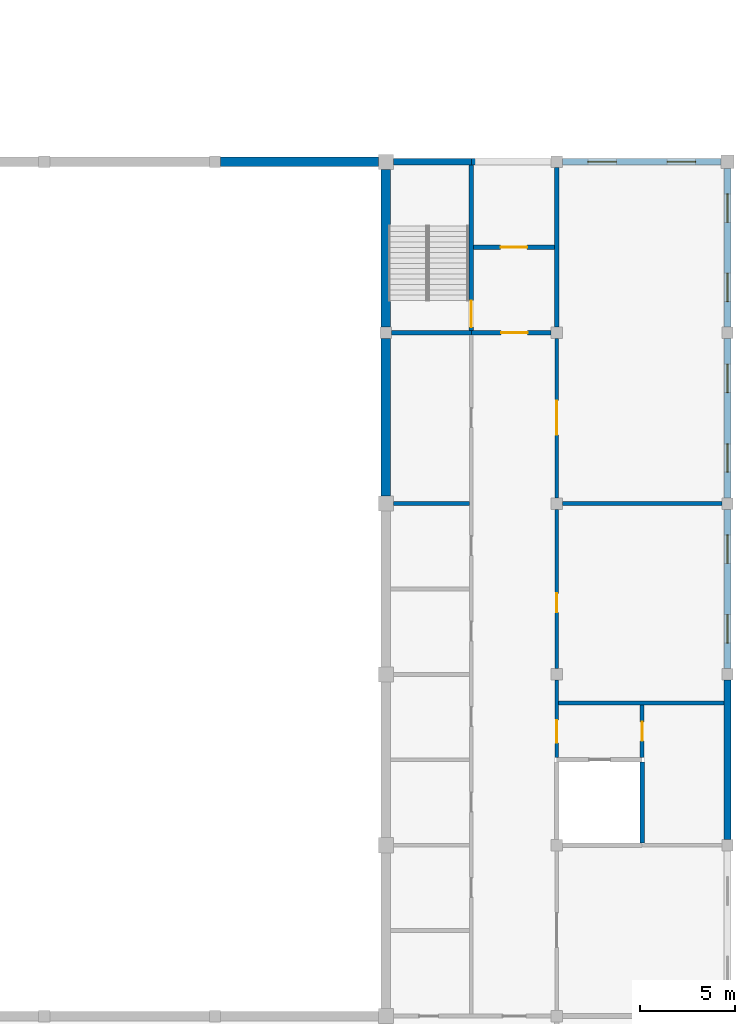
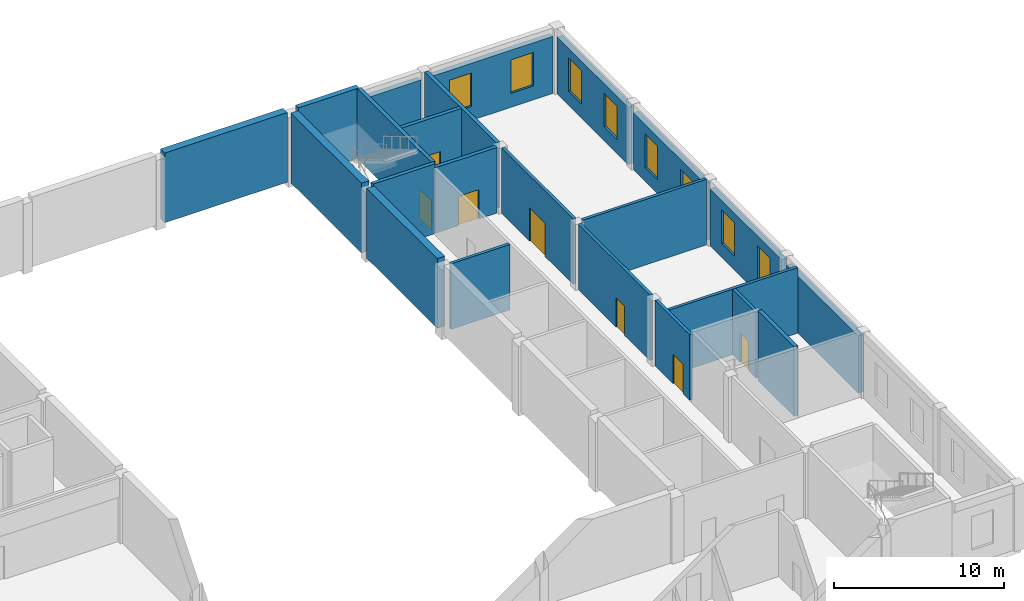
# One storey, part 23 of 30: 23 walls, 8 windows, 7 doors, 15 openings.
"""IFC4 building model written with IfcOpenShell, lengths in metres."""

from ifc_helpers import new_model, si_unit, direction, frame, frame_2d, origin, place, context, subcontext, project, spatial, rectangle, extrude, material, layer, layer_set, type_object, element, fill, save


model = new_model("IFC4")

# Units and contexts
model_context = context("Model", 3, precision=1e-05, world=origin(), true_north=direction((0.0, 1.0)))
body_context = subcontext(model_context, "Body", "Model", "MODEL_VIEW")
ifc_project = project(units=[si_unit("LENGTHUNIT", "METRE"), si_unit("AREAUNIT", "SQUARE_METRE"), si_unit("VOLUMEUNIT", "CUBIC_METRE"), si_unit("PLANEANGLEUNIT", "RADIAN"), si_unit("MASSUNIT", "GRAM", prefix="KILO")], contexts=[model_context])

# Site, building, storey
site_placement = place(None, origin())
site = spatial("IfcSite", under=ifc_project, at=site_placement, CompositionType="ELEMENT")
building_placement = place(site_placement, origin())
building = spatial("IfcBuilding", under=site, at=building_placement, Name="Firuza Court", CompositionType="ELEMENT")
storey_placement = place(building_placement, frame((0.0, 0.0, 9.0)))
storey = spatial("IfcBuildingStorey", under=building, at=storey_placement, Name="L01", CompositionType="ELEMENT", Elevation=9.0)

# Walls
ifc_material_1 = material(Name="Blockwork", Category="masonry")
ifc_layer_1 = layer(ifc_material_1, 0.199951171875)
ifc_layer_set_1 = layer_set([ifc_layer_1], Name="Blockwork")
wall_type_1 = type_object("IfcWallType", Name="HALL PARTITION 200", PredefinedType="STANDARD", material=ifc_layer_set_1)
wall_1_placement = place(storey_placement, frame((144.10009765625, 16.5, 0.0), z_axis=(0.0, 0.0, 1.0), x_axis=(1.0, 0.0, 0.0)))
element("IfcWall", 1, at=wall_1_placement, inside=storey, type_object=wall_type_1, Name="Wall L01.26", PredefinedType="STANDARD", context=body_context, shape_type="SweptSolid", body=[
    extrude(rectangle(XDim=8.724853515625, YDim=0.199951171875, at=frame_2d((4.3623046875, 0.0))), origin(), (0.0, 0.0, 1.0), 4.699951171875),
])
wall_2_placement = place(storey_placement, frame((135.39990234375, 27.0, 0.0), z_axis=(0.0, 0.0, 1.0), x_axis=(1.0, 0.0, 0.0)))
element("IfcWall", 2, at=wall_2_placement, inside=storey, type_object=wall_type_1, Name="Wall L01.38", PredefinedType="STANDARD", context=body_context, shape_type="SweptSolid", body=[
    extrude(rectangle(XDim=4.0, YDim=0.199951171875, at=frame_2d((2.0, 0.0))), origin(), (0.0, 0.0, 1.0), 4.699951171875),
])
wall_3_placement = place(storey_placement, frame((144.300048828125, 27.0, 0.0), z_axis=(0.0, 0.0, 1.0), x_axis=(1.0, 0.0, 0.0)))
element("IfcWall", 3, at=wall_3_placement, inside=storey, type_object=wall_type_1, Name="Wall L01.39", PredefinedType="STANDARD", context=body_context, shape_type="SweptSolid", body=[
    extrude(rectangle(XDim=8.39990234375, YDim=0.199951171875, at=frame_2d((4.199951171875, 0.0))), origin(), (0.0, 0.0, 1.0), 4.699951171875),
])

# Wall, opening, door
wall_4_placement = place(storey_placement, frame((144.0, 13.625, 0.0), z_axis=(0.0, 0.0, 1.0), x_axis=(0.0, 1.0, 0.0)))
wall_4 = element("IfcWall", 4, at=wall_4_placement, inside=storey, type_object=wall_type_1, Name="Wall L01.84", PredefinedType="STANDARD", context=body_context, shape_type="SweptSolid", body=[
    extrude(rectangle(XDim=4.074951171875, YDim=0.199951171875, at=frame_2d((2.03759765625, 0.0))), origin(), (0.0, 0.0, 1.0), 4.699951171875),
])
opening_1_placement = place(wall_4_placement, frame((0.77001953125, 0.0, 0.0)))
opening_1 = element("IfcOpeningElement", 5, at=opening_1_placement, cuts=wall_4, Name="Opening H062", PredefinedType="OPENING", context=body_context, shape_type="SweptSolid", body=[
    extrude(rectangle(XDim=1.199951171875, YDim=2.10009765625, at=frame_2d((0.60009765625, 1.050048828125))), frame((0.0, 0.11181640625, 0.0), z_axis=(0.0, -1.0, 0.0), x_axis=(1.0, 0.0, 0.0)), (0.0, 0.0, 1.0), 0.223876953125),
])
ifc_material_2 = material(Name="Timber", Category="wood")
door_type_1 = type_object("IfcDoorType", Name="HALL DOOR 1200X2100", OperationType="SINGLE_SWING_LEFT", PredefinedType="DOOR", material=ifc_material_2)
door_1_placement = place(opening_1_placement, frame((1.199951171875, 0.0, 0.0), z_axis=(0.0, 0.0, 1.0), x_axis=(-1.0, 0.0, 0.0)))
door_1 = element("IfcDoor", 6, at=door_1_placement, inside=storey, type_object=door_type_1, Name="Door Goods lobby to Backstage corridor", OperationType="SINGLE_SWING_RIGHT", OverallHeight=2.10009765625, OverallWidth=1.199951171875, PredefinedType="DOOR", context=body_context, shape_type="SweptSolid", body=[
    extrude(rectangle(XDim=1.199951171875, YDim=2.10009765625, at=frame_2d((0.60009765625, 1.050048828125))), frame((0.0, 0.02490234375, 0.0), z_axis=(0.0, -1.0, 0.0), x_axis=(1.0, 0.0, 0.0)), (0.0, 0.0, 1.0), 0.050048828125),
])
fill(opening_1, door_1)

wall_5_placement = place(storey_placement, frame((144.0, 18.300048828125, 0.0), z_axis=(0.0, 0.0, 1.0), x_axis=(0.0, 1.0, 0.0)))
wall_5 = element("IfcWall", 7, at=wall_5_placement, inside=storey, type_object=wall_type_1, Name="Wall L01.85", PredefinedType="STANDARD", context=body_context, shape_type="SweptSolid", body=[
    extrude(rectangle(XDim=8.39990234375, YDim=0.199951171875, at=frame_2d((4.199951171875, 0.0))), origin(), (0.0, 0.0, 1.0), 4.699951171875),
])
opening_2_placement = place(wall_5_placement, frame((2.969970703125, 0.0, 0.0)))
opening_2 = element("IfcOpeningElement", 8, at=opening_2_placement, cuts=wall_5, Name="Opening H084", PredefinedType="OPENING", context=body_context, shape_type="SweptSolid", body=[
    extrude(rectangle(XDim=1.0, YDim=2.10009765625, at=frame_2d((0.5, 1.050048828125))), frame((0.0, 0.11181640625, 0.0), z_axis=(0.0, -1.0, 0.0), x_axis=(1.0, 0.0, 0.0)), (0.0, 0.0, 1.0), 0.223876953125),
])
ifc_material_3 = material(Name="Timber", Category="wood")
door_type_2 = type_object("IfcDoorType", Name="HALL DOOR 1000X2100", OperationType="SINGLE_SWING_LEFT", PredefinedType="DOOR", material=ifc_material_3)
door_2_placement = place(opening_2_placement, frame((1.0, 0.0, 0.0), z_axis=(0.0, 0.0, 1.0), x_axis=(-1.0, 0.0, 0.0)))
door_2 = element("IfcDoor", 9, at=door_2_placement, inside=storey, type_object=door_type_2, Name="Door Green room", OperationType="SINGLE_SWING_RIGHT", OverallHeight=2.10009765625, OverallWidth=1.0, PredefinedType="DOOR", context=body_context, shape_type="SweptSolid", body=[
    extrude(rectangle(XDim=1.0, YDim=2.10009765625, at=frame_2d((0.5, 1.050048828125))), frame((0.0, 0.02490234375, 0.0), z_axis=(0.0, -1.0, 0.0), x_axis=(1.0, 0.0, 0.0)), (0.0, 0.0, 1.0), 0.050048828125),
])
fill(opening_2, door_2)

wall_6_placement = place(storey_placement, frame((144.0, 27.300048828125, 0.0), z_axis=(0.0, 0.0, 1.0), x_axis=(0.0, 1.0, 0.0)))
wall_6 = element("IfcWall", 10, at=wall_6_placement, inside=storey, type_object=wall_type_1, Name="Wall L01.86", PredefinedType="STANDARD", context=body_context, shape_type="SweptSolid", body=[
    extrude(rectangle(XDim=8.39990234375, YDim=0.199951171875, at=frame_2d((4.199951171875, 0.0))), origin(), (0.0, 0.0, 1.0), 4.699951171875),
])
opening_3_placement = place(wall_6_placement, frame((3.320068359375, 0.0, 0.0)))
opening_3 = element("IfcOpeningElement", 11, at=opening_3_placement, cuts=wall_6, Name="Opening H085", PredefinedType="OPENING", context=body_context, shape_type="SweptSolid", body=[
    extrude(rectangle(XDim=1.800048828125, YDim=2.39990234375, at=frame_2d((0.89990234375, 1.199951171875))), frame((0.0, 0.11181640625, 0.0), z_axis=(0.0, -1.0, 0.0), x_axis=(1.0, 0.0, 0.0)), (0.0, 0.0, 1.0), 0.223876953125),
])
ifc_material_4 = material(Name="Timber", Category="wood")
door_type_3 = type_object("IfcDoorType", Name="HALL DOOR 1800X2400", OperationType="DOUBLE_DOOR_SINGLE_SWING", PredefinedType="DOOR", material=ifc_material_4)
door_3_placement = place(opening_3_placement, origin())
door_3 = element("IfcDoor", 12, at=door_3_placement, inside=storey, type_object=door_type_3, Name="Door Orchestra rehearsal hall", OperationType="DOUBLE_DOOR_SINGLE_SWING", OverallHeight=2.39990234375, OverallWidth=1.800048828125, PredefinedType="DOOR", context=body_context, shape_type="SweptSolid", body=[
    extrude(rectangle(XDim=1.800048828125, YDim=2.39990234375, at=frame_2d((0.89990234375, 1.199951171875))), frame((0.0, 0.02490234375, 0.0), z_axis=(0.0, -1.0, 0.0), x_axis=(1.0, 0.0, 0.0)), (0.0, 0.0, 1.0), 0.050048828125),
])
fill(opening_3, door_3)

wall_7_placement = place(storey_placement, frame((148.5, 13.625, 0.0), z_axis=(0.0, 0.0, 1.0), x_axis=(0.0, 1.0, 0.0)))
wall_7 = element("IfcWall", 13, at=wall_7_placement, inside=storey, type_object=wall_type_1, Name="Wall L01.90", PredefinedType="STANDARD", context=body_context, shape_type="SweptSolid", body=[
    extrude(rectangle(XDim=2.77490234375, YDim=0.199951171875, at=frame_2d((1.387451171875, 0.0))), origin(), (0.0, 0.0, 1.0), 4.699951171875),
])
opening_4_placement = place(wall_7_placement, frame((0.8701171875, 0.0, 0.0)))
opening_4 = element("IfcOpeningElement", 14, at=opening_4_placement, cuts=wall_7, Name="Opening H083", PredefinedType="OPENING", context=body_context, shape_type="SweptSolid", body=[
    extrude(rectangle(XDim=1.0, YDim=2.10009765625, at=frame_2d((0.5, 1.050048828125))), frame((0.0, 0.11181640625, 0.0), z_axis=(0.0, -1.0, 0.0), x_axis=(1.0, 0.0, 0.0)), (0.0, 0.0, 1.0), 0.223876953125),
])
door_4_placement = place(opening_4_placement, frame((1.0, 0.0, 0.0), z_axis=(0.0, 0.0, 1.0), x_axis=(-1.0, 0.0, 0.0)))
door_4 = element("IfcDoor", 15, at=door_4_placement, inside=storey, type_object=door_type_2, Name="Door Scenery store", OperationType="SINGLE_SWING_LEFT", OverallHeight=2.10009765625, OverallWidth=1.0, PredefinedType="DOOR", context=body_context, shape_type="SweptSolid", body=[
    extrude(rectangle(XDim=1.0, YDim=2.10009765625, at=frame_2d((0.5, 1.050048828125))), frame((0.0, 0.02490234375, 0.0), z_axis=(0.0, -1.0, 0.0), x_axis=(1.0, 0.0, 0.0)), (0.0, 0.0, 1.0), 0.050048828125),
])
fill(opening_4, door_4)

# Wall
ifc_material_5 = material(Name="Concrete C40/50", Category="concrete")
ifc_layer_2 = layer(ifc_material_5, 0.25)
ifc_layer_set_2 = layer_set([ifc_layer_2], Name="Concrete C40/50")
wall_type_2 = type_object("IfcWallType", Name="HALL RC WALL 250", PredefinedType="STANDARD", material=ifc_layer_set_2)
wall_8_placement = place(storey_placement, frame((135.300048828125, 36.0, 0.0), z_axis=(0.0, 0.0, 1.0), x_axis=(1.0, 0.0, 0.0)))
element("IfcWall", 16, at=wall_8_placement, inside=storey, type_object=wall_type_2, Name="Wall L01.40", PredefinedType="STANDARD", context=body_context, shape_type="SweptSolid", body=[
    extrude(rectangle(XDim=4.199951171875, YDim=0.25, at=frame_2d((2.10009765625, 0.0))), origin(), (0.0, 0.0, 1.0), 5.0),
])

# Wall, opening, door
wall_9_placement = place(storey_placement, frame((139.5, 36.0, 0.0), z_axis=(0.0, 0.0, 1.0), x_axis=(1.0, 0.0, 0.0)))
wall_9 = element("IfcWall", 17, at=wall_9_placement, inside=storey, type_object=wall_type_2, Name="Wall L01.41", PredefinedType="STANDARD", context=body_context, shape_type="SweptSolid", body=[
    extrude(rectangle(XDim=4.199951171875, YDim=0.25, at=frame_2d((2.10009765625, 0.0))), origin(), (0.0, 0.0, 1.0), 4.699951171875),
])
opening_5_placement = place(wall_9_placement, frame((1.570068359375, 0.0, 0.0)))
opening_5 = element("IfcOpeningElement", 18, at=opening_5_placement, cuts=wall_9, Name="Opening H058", PredefinedType="OPENING", context=body_context, shape_type="SweptSolid", body=[
    extrude(rectangle(XDim=1.39990234375, YDim=2.10009765625, at=frame_2d((0.699951171875, 1.050048828125))), frame((0.0, 0.136962890625, 0.0), z_axis=(0.0, -1.0, 0.0), x_axis=(1.0, 0.0, 0.0)), (0.0, 0.0, 1.0), 0.27392578125),
])
ifc_material_6 = material(Name="Timber", Category="wood")
door_type_4 = type_object("IfcDoorType", Name="HALL DOOR 1400X2100", OperationType="DOUBLE_DOOR_SINGLE_SWING", PredefinedType="DOOR", material=ifc_material_6)
door_5_placement = place(opening_5_placement, origin())
door_5 = element("IfcDoor", 19, at=door_5_placement, inside=storey, type_object=door_type_4, Name="Exit door stair H4 lobby", OperationType="DOUBLE_DOOR_SINGLE_SWING", OverallHeight=2.10009765625, OverallWidth=1.39990234375, PredefinedType="DOOR", context=body_context, shape_type="SweptSolid", body=[
    extrude(rectangle(XDim=1.39990234375, YDim=2.10009765625, at=frame_2d((0.699951171875, 1.050048828125))), frame((0.0, 0.02490234375, 0.0), z_axis=(0.0, -1.0, 0.0), x_axis=(1.0, 0.0, 0.0)), (0.0, 0.0, 1.0), 0.050048828125),
])
fill(opening_5, door_5)

wall_10_placement = place(storey_placement, frame((139.625, 40.5, 0.0), z_axis=(0.0, 0.0, 1.0), x_axis=(1.0, 0.0, 0.0)))
wall_10 = element("IfcWall", 20, at=wall_10_placement, inside=storey, type_object=wall_type_2, Name="Wall L01.42", PredefinedType="STANDARD", context=body_context, shape_type="SweptSolid", body=[
    extrude(rectangle(XDim=4.25, YDim=0.25, at=frame_2d((2.125, 0.0))), origin(), (0.0, 0.0, 1.0), 4.699951171875),
])
opening_6_placement = place(wall_10_placement, frame((1.419921875, 0.0, 0.0)))
opening_6 = element("IfcOpeningElement", 21, at=opening_6_placement, cuts=wall_10, Name="Opening H059", PredefinedType="OPENING", context=body_context, shape_type="SweptSolid", body=[
    extrude(rectangle(XDim=1.39990234375, YDim=2.10009765625, at=frame_2d((0.699951171875, 1.050048828125))), frame((0.0, 0.136962890625, 0.0), z_axis=(0.0, -1.0, 0.0), x_axis=(1.0, 0.0, 0.0)), (0.0, 0.0, 1.0), 0.27392578125),
])
door_6_placement = place(opening_6_placement, origin())
door_6 = element("IfcDoor", 22, at=door_6_placement, inside=storey, type_object=door_type_4, Name="Exit door stair H4 passage", OperationType="DOUBLE_DOOR_SINGLE_SWING", OverallHeight=2.10009765625, OverallWidth=1.39990234375, PredefinedType="DOOR", context=body_context, shape_type="SweptSolid", body=[
    extrude(rectangle(XDim=1.39990234375, YDim=2.10009765625, at=frame_2d((0.699951171875, 1.050048828125))), frame((0.0, 0.02490234375, 0.0), z_axis=(0.0, -1.0, 0.0), x_axis=(1.0, 0.0, 0.0)), (0.0, 0.0, 1.0), 0.050048828125),
])
fill(opening_6, door_6)

wall_11_placement = place(storey_placement, frame((139.5, 36.125, 0.0), z_axis=(0.0, 0.0, 1.0), x_axis=(0.0, 1.0, 0.0)))
wall_11 = element("IfcWall", 23, at=wall_11_placement, inside=storey, type_object=wall_type_2, Name="Wall L01.80", PredefinedType="STANDARD", context=body_context, shape_type="SweptSolid", body=[
    extrude(rectangle(XDim=8.699951171875, YDim=0.25, at=frame_2d((4.35009765625, 0.0))), origin(), (0.0, 0.0, 1.0), 5.0),
])
opening_7_placement = place(wall_11_placement, frame((0.169921875, 0.0, 0.0)))
opening_7 = element("IfcOpeningElement", 24, at=opening_7_placement, cuts=wall_11, Name="Opening H057", PredefinedType="OPENING", context=body_context, shape_type="SweptSolid", body=[
    extrude(rectangle(XDim=1.39990234375, YDim=2.10009765625, at=frame_2d((0.699951171875, 1.050048828125))), frame((0.0, 0.136962890625, 0.0), z_axis=(0.0, -1.0, 0.0), x_axis=(1.0, 0.0, 0.0)), (0.0, 0.0, 1.0), 0.27392578125),
])
door_7_placement = place(opening_7_placement, origin())
door_7 = element("IfcDoor", 25, at=door_7_placement, inside=storey, type_object=door_type_4, Name="Stair H4 door", OperationType="DOUBLE_DOOR_SINGLE_SWING", OverallHeight=2.10009765625, OverallWidth=1.39990234375, PredefinedType="DOOR", context=body_context, shape_type="SweptSolid", body=[
    extrude(rectangle(XDim=1.39990234375, YDim=2.10009765625, at=frame_2d((0.699951171875, 1.050048828125))), frame((0.0, 0.02490234375, 0.0), z_axis=(0.0, -1.0, 0.0), x_axis=(1.0, 0.0, 0.0)), (0.0, 0.0, 1.0), 0.050048828125),
])
fill(opening_7, door_7)

# Walls
wall_12_placement = place(storey_placement, frame((144.0, 36.300048828125, 0.0), z_axis=(0.0, 0.0, 1.0), x_axis=(0.0, 1.0, 0.0)))
element("IfcWall", 26, at=wall_12_placement, inside=storey, type_object=wall_type_2, Name="Wall L01.87", PredefinedType="STANDARD", context=body_context, shape_type="SweptSolid", body=[
    extrude(rectangle(XDim=8.39990234375, YDim=0.25, at=frame_2d((4.199951171875, 0.0))), origin(), (0.0, 0.0, 1.0), 4.699951171875),
])
wall_13_placement = place(storey_placement, frame((148.5, 9.125, 0.0), z_axis=(0.0, 0.0, 1.0), x_axis=(0.0, 1.0, 0.0)))
element("IfcWall", 27, at=wall_13_placement, inside=storey, type_object=wall_type_2, Name="Wall L01.89", PredefinedType="STANDARD", context=body_context, shape_type="SweptSolid", body=[
    extrude(rectangle(XDim=4.25, YDim=0.25, at=frame_2d((2.125, 0.0))), origin(), (0.0, 0.0, 1.0), 5.0),
])
ifc_layer_3 = layer(ifc_material_5, 0.5)
ifc_layer_set_3 = layer_set([ifc_layer_3], Name="Concrete C40/50")
wall_type_3 = type_object("IfcWallType", Name="HALL RC WALL 500", PredefinedType="STANDARD", material=ifc_layer_set_3)
for number, where, z_axis, x_axis, name in (
    (28, (135.0, 27.39990234375, 0.0), (0.0, 0.0, 1.0), (0.0, 1.0, 0.0), "Wall L01.76"),
    (29, (135.0, 36.300048828125, 0.0), (0.0, 0.0, 1.0), (0.0, 1.0, 0.0), "Wall L01.77"),
):
    element("IfcWall", number, at=place(storey_placement, frame(where, z_axis=z_axis, x_axis=x_axis)), inside=storey, type_object=wall_type_3, Name=name, PredefinedType="STANDARD", context=body_context, shape_type="SweptSolid", body=[
        extrude(rectangle(XDim=8.300048828125, YDim=0.5, at=frame_2d((4.14990234375, 0.0))), origin(), (0.0, 0.0, 1.0), 5.0),
    ])
ifc_material_7 = material(Name="Concrete C30/37", Category="concrete")
ifc_layer_4 = layer(ifc_material_7, 0.300048828125)
ifc_material_8 = material(Name="Ceramic tile", Category="ceramic")
ifc_layer_5 = layer(ifc_material_8, 0.050048828125)
ifc_layer_set_4 = layer_set([ifc_layer_4, ifc_layer_5], Name="Concrete C30/37")
wall_type_4 = type_object("IfcWallType", Name="HALL TILE CLAD WALL 350", PredefinedType="STANDARD", material=ifc_layer_set_4)
wall_14_placement = place(storey_placement, frame((126.300048828125, 45.0, 0.0), z_axis=(0.0, 0.0, 1.0), x_axis=(1.0, 0.0, 0.0)))
element("IfcWall", 30, at=wall_14_placement, inside=storey, type_object=wall_type_4, Name="Wall L01.45", PredefinedType="STANDARD", context=body_context, shape_type="SweptSolid", body=[
    extrude(rectangle(XDim=8.300048828125, YDim=0.5, at=frame_2d((4.14990234375, 0.0))), origin(), (0.0, 0.0, 1.0), 5.0),
])
wall_15_placement = place(storey_placement, frame((135.39990234375, 45.0, 0.0), z_axis=(0.0, 0.0, 1.0), x_axis=(1.0, 0.0, 0.0)))
element("IfcWall", 31, at=wall_15_placement, inside=storey, type_object=wall_type_4, Name="Wall L01.46", PredefinedType="STANDARD", context=body_context, shape_type="SweptSolid", body=[
    extrude(rectangle(XDim=4.10009765625, YDim=0.35009765625, at=frame_2d((2.050048828125, 0.0))), origin(), (0.0, 0.0, 1.0), 5.0),
])
wall_16_placement = place(storey_placement, frame((139.5, 45.0, 0.0), z_axis=(0.0, 0.0, 1.0), x_axis=(1.0, 0.0, 0.0)))
element("IfcWall", 32, at=wall_16_placement, inside=storey, type_object=wall_type_4, Name="Wall L01.47", PredefinedType="STANDARD", context=body_context, shape_type="SweptSolid", body=[
    extrude(rectangle(XDim=4.199951171875, YDim=0.35009765625, at=frame_2d((2.10009765625, 0.0))), origin(), (0.0, 0.0, 1.0), 4.10009765625),
])

# Wall, openings, windows
wall_17_placement = place(storey_placement, frame((144.300048828125, 45.0, 0.0), z_axis=(0.0, 0.0, 1.0), x_axis=(1.0, 0.0, 0.0)))
wall_17 = element("IfcWall", 33, at=wall_17_placement, inside=storey, type_object=wall_type_4, Name="Wall L01.48", PredefinedType="STANDARD", context=body_context, shape_type="SweptSolid", body=[
    extrude(rectangle(XDim=8.349853515625, YDim=0.35009765625, at=frame_2d((4.1748046875, 0.0))), origin(), (0.0, 0.0, 1.0), 4.10009765625),
])
opening_8_placement = place(wall_17_placement, frame((1.33740234375, 0.0, 1.0)))
opening_8 = element("IfcOpeningElement", 34, at=opening_8_placement, cuts=wall_17, Name="Opening HW-1", PredefinedType="OPENING", context=body_context, shape_type="SweptSolid", body=[
    extrude(rectangle(XDim=1.5, YDim=2.39990234375, at=frame_2d((0.75, 1.199951171875))), frame((0.0, 0.18701171875, 0.0), z_axis=(0.0, -1.0, 0.0), x_axis=(1.0, 0.0, 0.0)), (0.0, 0.0, 1.0), 0.3740234375),
])
opening_9_placement = place(wall_17_placement, frame((5.512451171875, 0.0, 1.0)))
opening_9 = element("IfcOpeningElement", 35, at=opening_9_placement, cuts=wall_17, Name="Opening HW-1", PredefinedType="OPENING", context=body_context, shape_type="SweptSolid", body=[
    extrude(rectangle(XDim=1.5, YDim=2.39990234375, at=frame_2d((0.75, 1.199951171875))), frame((0.0, 0.18701171875, 0.0), z_axis=(0.0, -1.0, 0.0), x_axis=(1.0, 0.0, 0.0)), (0.0, 0.0, 1.0), 0.3740234375),
])
ifc_material_9 = material(Name="Aluminium", Category="aluminium")
window_type = type_object("IfcWindowType", Name="HALL WINDOW 1500X2400", PartitioningType="SINGLE_PANEL", PredefinedType="WINDOW", material=ifc_material_9)
window_1_placement = place(opening_8_placement, origin())
window_1 = element("IfcWindow", 36, at=window_1_placement, inside=storey, type_object=window_type, Name="Window L01.29", OverallHeight=2.39990234375, OverallWidth=1.5, PartitioningType="SINGLE_PANEL", PredefinedType="WINDOW", context=body_context, shape_type="SweptSolid", body=[
    extrude(rectangle(XDim=1.5, YDim=2.39990234375, at=frame_2d((0.75, 1.199951171875))), frame((0.0, 0.030029296875, 0.0), z_axis=(0.0, -1.0, 0.0), x_axis=(1.0, 0.0, 0.0)), (0.0, 0.0, 1.0), 0.06005859375),
])
fill(opening_8, window_1)
window_2_placement = place(opening_9_placement, origin())
window_2 = element("IfcWindow", 37, at=window_2_placement, inside=storey, type_object=window_type, Name="Window L01.30", OverallHeight=2.39990234375, OverallWidth=1.5, PartitioningType="SINGLE_PANEL", PredefinedType="WINDOW", context=body_context, shape_type="SweptSolid", body=[
    extrude(rectangle(XDim=1.5, YDim=2.39990234375, at=frame_2d((0.75, 1.199951171875))), frame((0.0, 0.030029296875, 0.0), z_axis=(0.0, -1.0, 0.0), x_axis=(1.0, 0.0, 0.0)), (0.0, 0.0, 1.0), 0.06005859375),
])
fill(opening_9, window_2)

# Wall
wall_18_placement = place(storey_placement, frame((153.0, 9.300048828125, 0.0), z_axis=(0.0, 0.0, 1.0), x_axis=(0.0, 1.0, 0.0)))
element("IfcWall", 38, at=wall_18_placement, inside=storey, type_object=wall_type_4, Name="Wall L01.93", PredefinedType="STANDARD", context=body_context, shape_type="SweptSolid", body=[
    extrude(rectangle(XDim=8.39990234375, YDim=0.35009765625, at=frame_2d((4.199951171875, 0.0))), origin(), (0.0, 0.0, 1.0), 4.10009765625),
])

# Wall, openings, windows
wall_19_placement = place(storey_placement, frame((153.0, 18.300048828125, 0.0), z_axis=(0.0, 0.0, 1.0), x_axis=(0.0, 1.0, 0.0)))
wall_19 = element("IfcWall", 39, at=wall_19_placement, inside=storey, type_object=wall_type_4, Name="Wall L01.94", PredefinedType="STANDARD", context=body_context, shape_type="SweptSolid", body=[
    extrude(rectangle(XDim=8.39990234375, YDim=0.35009765625, at=frame_2d((4.199951171875, 0.0))), origin(), (0.0, 0.0, 1.0), 4.10009765625),
])
opening_10_placement = place(wall_19_placement, frame((1.35009765625, 0.0, 1.0)))
opening_10 = element("IfcOpeningElement", 40, at=opening_10_placement, cuts=wall_19, Name="Opening HW-1", PredefinedType="OPENING", context=body_context, shape_type="SweptSolid", body=[
    extrude(rectangle(XDim=1.5, YDim=2.39990234375, at=frame_2d((0.75, 1.199951171875))), frame((0.0, 0.18701171875, 0.0), z_axis=(0.0, -1.0, 0.0), x_axis=(1.0, 0.0, 0.0)), (0.0, 0.0, 1.0), 0.3740234375),
])
opening_11_placement = place(wall_19_placement, frame((5.550048828125, 0.0, 1.0)))
opening_11 = element("IfcOpeningElement", 41, at=opening_11_placement, cuts=wall_19, Name="Opening HW-1", PredefinedType="OPENING", context=body_context, shape_type="SweptSolid", body=[
    extrude(rectangle(XDim=1.5, YDim=2.39990234375, at=frame_2d((0.75, 1.199951171875))), frame((0.0, 0.18701171875, 0.0), z_axis=(0.0, -1.0, 0.0), x_axis=(1.0, 0.0, 0.0)), (0.0, 0.0, 1.0), 0.3740234375),
])
window_3_placement = place(opening_10_placement, origin())
window_3 = element("IfcWindow", 42, at=window_3_placement, inside=storey, type_object=window_type, Name="Window L01.39", OverallHeight=2.39990234375, OverallWidth=1.5, PartitioningType="SINGLE_PANEL", PredefinedType="WINDOW", context=body_context, shape_type="SweptSolid", body=[
    extrude(rectangle(XDim=1.5, YDim=2.39990234375, at=frame_2d((0.75, 1.199951171875))), frame((0.0, 0.030029296875, 0.0), z_axis=(0.0, -1.0, 0.0), x_axis=(1.0, 0.0, 0.0)), (0.0, 0.0, 1.0), 0.06005859375),
])
fill(opening_10, window_3)
window_4_placement = place(opening_11_placement, origin())
window_4 = element("IfcWindow", 43, at=window_4_placement, inside=storey, type_object=window_type, Name="Window L01.40", OverallHeight=2.39990234375, OverallWidth=1.5, PartitioningType="SINGLE_PANEL", PredefinedType="WINDOW", context=body_context, shape_type="SweptSolid", body=[
    extrude(rectangle(XDim=1.5, YDim=2.39990234375, at=frame_2d((0.75, 1.199951171875))), frame((0.0, 0.030029296875, 0.0), z_axis=(0.0, -1.0, 0.0), x_axis=(1.0, 0.0, 0.0)), (0.0, 0.0, 1.0), 0.06005859375),
])
fill(opening_11, window_4)

wall_20_placement = place(storey_placement, frame((153.0, 27.300048828125, 0.0), z_axis=(0.0, 0.0, 1.0), x_axis=(0.0, 1.0, 0.0)))
wall_20 = element("IfcWall", 44, at=wall_20_placement, inside=storey, type_object=wall_type_4, Name="Wall L01.95", PredefinedType="STANDARD", context=body_context, shape_type="SweptSolid", body=[
    extrude(rectangle(XDim=8.39990234375, YDim=0.35009765625, at=frame_2d((4.199951171875, 0.0))), origin(), (0.0, 0.0, 1.0), 4.10009765625),
])
opening_12_placement = place(wall_20_placement, frame((1.35009765625, 0.0, 1.0)))
opening_12 = element("IfcOpeningElement", 45, at=opening_12_placement, cuts=wall_20, Name="Opening HW-1", PredefinedType="OPENING", context=body_context, shape_type="SweptSolid", body=[
    extrude(rectangle(XDim=1.5, YDim=2.39990234375, at=frame_2d((0.75, 1.199951171875))), frame((0.0, 0.18701171875, 0.0), z_axis=(0.0, -1.0, 0.0), x_axis=(1.0, 0.0, 0.0)), (0.0, 0.0, 1.0), 0.3740234375),
])
opening_13_placement = place(wall_20_placement, frame((5.550048828125, 0.0, 1.0)))
opening_13 = element("IfcOpeningElement", 46, at=opening_13_placement, cuts=wall_20, Name="Opening HW-1", PredefinedType="OPENING", context=body_context, shape_type="SweptSolid", body=[
    extrude(rectangle(XDim=1.5, YDim=2.39990234375, at=frame_2d((0.75, 1.199951171875))), frame((0.0, 0.18701171875, 0.0), z_axis=(0.0, -1.0, 0.0), x_axis=(1.0, 0.0, 0.0)), (0.0, 0.0, 1.0), 0.3740234375),
])
window_5_placement = place(opening_12_placement, origin())
window_5 = element("IfcWindow", 47, at=window_5_placement, inside=storey, type_object=window_type, Name="Window L01.41", OverallHeight=2.39990234375, OverallWidth=1.5, PartitioningType="SINGLE_PANEL", PredefinedType="WINDOW", context=body_context, shape_type="SweptSolid", body=[
    extrude(rectangle(XDim=1.5, YDim=2.39990234375, at=frame_2d((0.75, 1.199951171875))), frame((0.0, 0.030029296875, 0.0), z_axis=(0.0, -1.0, 0.0), x_axis=(1.0, 0.0, 0.0)), (0.0, 0.0, 1.0), 0.06005859375),
])
fill(opening_12, window_5)
window_6_placement = place(opening_13_placement, origin())
window_6 = element("IfcWindow", 48, at=window_6_placement, inside=storey, type_object=window_type, Name="Window L01.42", OverallHeight=2.39990234375, OverallWidth=1.5, PartitioningType="SINGLE_PANEL", PredefinedType="WINDOW", context=body_context, shape_type="SweptSolid", body=[
    extrude(rectangle(XDim=1.5, YDim=2.39990234375, at=frame_2d((0.75, 1.199951171875))), frame((0.0, 0.030029296875, 0.0), z_axis=(0.0, -1.0, 0.0), x_axis=(1.0, 0.0, 0.0)), (0.0, 0.0, 1.0), 0.06005859375),
])
fill(opening_13, window_6)

wall_21_placement = place(storey_placement, frame((153.0, 36.300048828125, 0.0), z_axis=(0.0, 0.0, 1.0), x_axis=(0.0, 1.0, 0.0)))
wall_21 = element("IfcWall", 49, at=wall_21_placement, inside=storey, type_object=wall_type_4, Name="Wall L01.96", PredefinedType="STANDARD", context=body_context, shape_type="SweptSolid", body=[
    extrude(rectangle(XDim=8.349853515625, YDim=0.35009765625, at=frame_2d((4.1748046875, 0.0))), origin(), (0.0, 0.0, 1.0), 4.10009765625),
])
opening_14_placement = place(wall_21_placement, frame((1.33740234375, 0.0, 1.0)))
opening_14 = element("IfcOpeningElement", 50, at=opening_14_placement, cuts=wall_21, Name="Opening HW-1", PredefinedType="OPENING", context=body_context, shape_type="SweptSolid", body=[
    extrude(rectangle(XDim=1.5, YDim=2.39990234375, at=frame_2d((0.75, 1.199951171875))), frame((0.0, 0.18701171875, 0.0), z_axis=(0.0, -1.0, 0.0), x_axis=(1.0, 0.0, 0.0)), (0.0, 0.0, 1.0), 0.3740234375),
])
opening_15_placement = place(wall_21_placement, frame((5.512451171875, 0.0, 1.0)))
opening_15 = element("IfcOpeningElement", 51, at=opening_15_placement, cuts=wall_21, Name="Opening HW-1", PredefinedType="OPENING", context=body_context, shape_type="SweptSolid", body=[
    extrude(rectangle(XDim=1.5, YDim=2.39990234375, at=frame_2d((0.75, 1.199951171875))), frame((0.0, 0.18701171875, 0.0), z_axis=(0.0, -1.0, 0.0), x_axis=(1.0, 0.0, 0.0)), (0.0, 0.0, 1.0), 0.3740234375),
])
window_7_placement = place(opening_14_placement, origin())
window_7 = element("IfcWindow", 52, at=window_7_placement, inside=storey, type_object=window_type, Name="Window L01.43", OverallHeight=2.39990234375, OverallWidth=1.5, PartitioningType="SINGLE_PANEL", PredefinedType="WINDOW", context=body_context, shape_type="SweptSolid", body=[
    extrude(rectangle(XDim=1.5, YDim=2.39990234375, at=frame_2d((0.75, 1.199951171875))), frame((0.0, 0.030029296875, 0.0), z_axis=(0.0, -1.0, 0.0), x_axis=(1.0, 0.0, 0.0)), (0.0, 0.0, 1.0), 0.06005859375),
])
fill(opening_14, window_7)
window_8_placement = place(opening_15_placement, origin())
window_8 = element("IfcWindow", 53, at=window_8_placement, inside=storey, type_object=window_type, Name="Window L01.44", OverallHeight=2.39990234375, OverallWidth=1.5, PartitioningType="SINGLE_PANEL", PredefinedType="WINDOW", context=body_context, shape_type="SweptSolid", body=[
    extrude(rectangle(XDim=1.5, YDim=2.39990234375, at=frame_2d((0.75, 1.199951171875))), frame((0.0, 0.030029296875, 0.0), z_axis=(0.0, -1.0, 0.0), x_axis=(1.0, 0.0, 0.0)), (0.0, 0.0, 1.0), 0.06005859375),
])
fill(opening_15, window_8)

save(model, "model.ifc")
